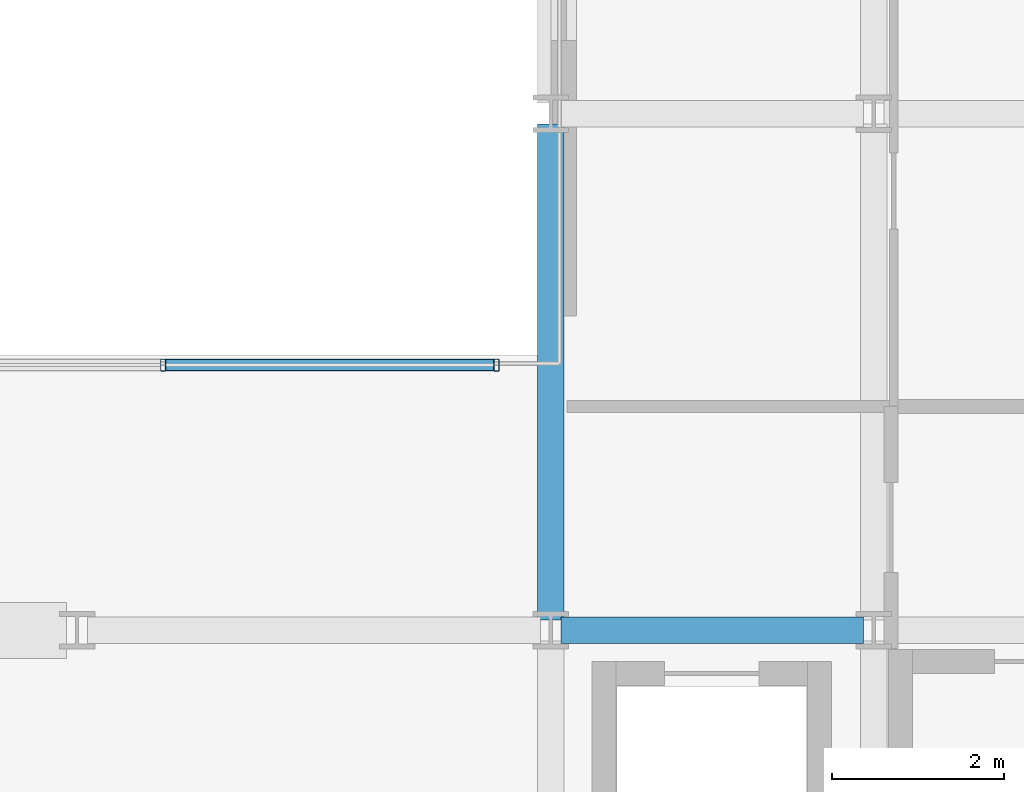
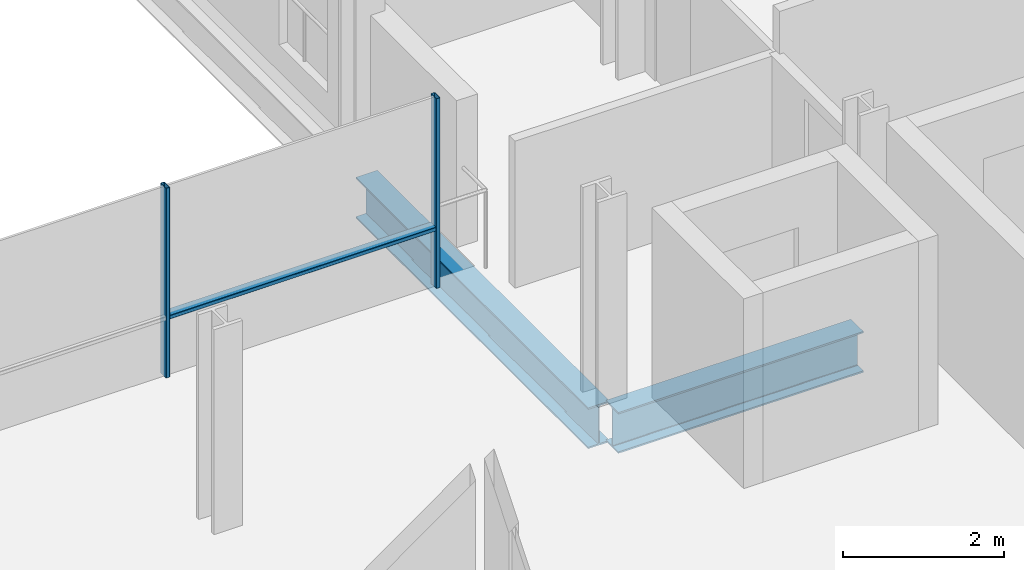
# One storey, part 13 of 38: 3 members, 2 beams, 1 element without a shape of its own.
"""IFC4 building model written with IfcOpenShell, lengths in metres."""

from ifc_helpers import new_model, si_unit, direction, frame, origin, origin_2d, place, context, subcontext, project, spatial, hollow_rectangle, i_section, extrude, material, layer, layer_set, material_profile, profile_set, type_object, element, aggregate, save


model = new_model("IFC4")

# Units and contexts
model_context = context("Model", 3, precision=1e-05, world=origin(), true_north=direction((0.0, 1.0)))
body_context = subcontext(model_context, "Body", "Model", "MODEL_VIEW")
ifc_project = project(units=[si_unit("LENGTHUNIT", "METRE"), si_unit("AREAUNIT", "SQUARE_METRE"), si_unit("VOLUMEUNIT", "CUBIC_METRE"), si_unit("PLANEANGLEUNIT", "RADIAN"), si_unit("MASSUNIT", "GRAM", prefix="KILO")], contexts=[model_context])

# Site, building, storey
site_placement = place(None, origin())
site = spatial("IfcSite", under=ifc_project, at=site_placement, CompositionType="ELEMENT")
building_placement = place(site_placement, origin())
building = spatial("IfcBuilding", under=site, at=building_placement, Name="Brevholm Reach", CompositionType="ELEMENT")
storey_placement = place(building_placement, frame((0.0, 0.0, 65.199951171875)))
storey = spatial("IfcBuildingStorey", under=building, at=storey_placement, Name="L18", CompositionType="ELEMENT", Elevation=65.199951171875)

# Beams
ifc_material_1 = material(Name="Structural Steel S355J2", Category="steel")
ifc_material_profile_1 = material_profile(ifc_material_1, i_section(OverallWidth=0.30712890625, OverallDepth=0.6201171875, WebThickness=0.01416015625, FlangeThickness=0.023681640625, FilletRadius=0.0166015625, at=origin_2d()), Name="UKB 610x305x179")
ifc_profile_set_1 = profile_set([ifc_material_profile_1], Name="Structural Steel S355J2")
beam_type = type_object("IfcBeamType", Name="BM-UKB610H", PredefinedType="USERDEFINED", material=ifc_profile_set_1)
beam_1_placement = place(storey_placement, frame((38.3701171875, 10.0, -0.5400390625), z_axis=(1.0, 0.0, 0.0), x_axis=(0.0, 1.0, 0.0)))
element("IfcBeam", 1, at=beam_1_placement, inside=storey, type_object=beam_type, Name="L18 G-06 Framing Beam", ObjectType="GIRDER", PredefinedType="USERDEFINED", context=body_context, shape_type="SweptSolid", body=[
    extrude(i_section(OverallWidth=0.30712890625, OverallDepth=0.6201171875, WebThickness=0.01416015625, FlangeThickness=0.023681640625, FilletRadius=0.0166015625, at=origin_2d()), origin(), (0.0, 0.0, 1.0), 3.509765625),
])
beam_2_placement = place(storey_placement, frame((38.25, 10.1201171875, -0.5400390625), z_axis=(0.0, 1.0, 0.0), x_axis=(-1.0, 0.0, 0.0)))
element("IfcBeam", 2, at=beam_2_placement, inside=storey, type_object=beam_type, Name="L18 G-06 Framing Beam", ObjectType="GIRDER", PredefinedType="USERDEFINED", context=body_context, shape_type="SweptSolid", body=[
    extrude(i_section(OverallWidth=0.30712890625, OverallDepth=0.6201171875, WebThickness=0.01416015625, FlangeThickness=0.023681640625, FilletRadius=0.0166015625, at=origin_2d()), origin(), (0.0, 0.0, 1.0), 5.759765625),
])

# Curtain wall, members
ifc_material_2 = material(Name="Dark Anodised Aluminium 6063-T6 and Solar-Control Glass", Category="aluminium")
ifc_layer = layer(ifc_material_2, 0.139892578125)
ifc_layer_set = layer_set([ifc_layer], Name="Dark Anodised Aluminium 6063-T6 and Solar-Control Glass")
curtain_wall_type = type_object("IfcCurtainWallType", Name="CW-02", PredefinedType="NOTDEFINED", material=ifc_layer_set)
curtain_wall_placement = place(storey_placement, origin())
curtain_wall = element("IfcCurtainWall", 3, at=curtain_wall_placement, inside=storey, type_object=curtain_wall_type, Name="L18 Curtain Wall CW-02", PredefinedType="NOTDEFINED")
ifc_material_3 = material(Name="Dark Anodised Aluminium 6063-T6", Category="aluminium")
ifc_material_profile_2 = material_profile(ifc_material_3, hollow_rectangle(XDim=0.06005859375, YDim=0.139892578125, WallThickness=0.0048828125, InnerFilletRadius=0.0048828125, OuterFilletRadius=0.010009765625, at=origin_2d()), Name="RHS 140x60x5")
ifc_profile_set_2 = profile_set([ifc_material_profile_2], Name="Dark Anodised Aluminium 6063-T6")
member_type_1 = type_object("IfcMemberType", Name="CWM-140", PredefinedType="MULLION", material=ifc_profile_set_2)
member_1_placement = place(storey_placement, frame((33.75, 13.080078125, 0.0), z_axis=(0.0, 0.0, 1.0), x_axis=(1.0, 0.0, 0.0)))
member_1 = element("IfcMember", 4, at=member_1_placement, type_object=member_type_1, Name="CM-140 Mullion 4", PredefinedType="MULLION", context=body_context, shape_type="SweptSolid", body=[
    extrude(hollow_rectangle(XDim=0.06005859375, YDim=0.139892578125, WallThickness=0.0048828125, InnerFilletRadius=0.0048828125, OuterFilletRadius=0.010009765625, at=origin_2d()), origin(), (0.0, 0.0, 1.0), 2.8701171875),
])
member_2_placement = place(storey_placement, frame((37.6201171875, 13.080078125, 0.0), z_axis=(0.0, 0.0, 1.0), x_axis=(1.0, 0.0, 0.0)))
member_2 = element("IfcMember", 5, at=member_2_placement, type_object=member_type_1, Name="CM-140 Mullion 5", PredefinedType="MULLION", context=body_context, shape_type="SweptSolid", body=[
    extrude(hollow_rectangle(XDim=0.06005859375, YDim=0.139892578125, WallThickness=0.0048828125, InnerFilletRadius=0.0048828125, OuterFilletRadius=0.010009765625, at=origin_2d()), origin(), (0.0, 0.0, 1.0), 2.8701171875),
])
ifc_material_4 = material(Name="Dark Anodised Aluminium 6063-T6", Category="aluminium")
ifc_material_profile_3 = material_profile(ifc_material_4, hollow_rectangle(XDim=0.06005859375, YDim=0.139892578125, WallThickness=0.0048828125, InnerFilletRadius=0.0048828125, OuterFilletRadius=0.010009765625, at=origin_2d()), Name="RHS 140x60x5")
ifc_profile_set_3 = profile_set([ifc_material_profile_3], Name="Dark Anodised Aluminium 6063-T6")
member_type_2 = type_object("IfcMemberType", Name="CWT-140", PredefinedType="NOTDEFINED", material=ifc_profile_set_3)
member_3_placement = place(storey_placement, frame((33.780029296875, 13.080078125, 0.900146484375), z_axis=(1.0, 0.0, 0.0), x_axis=(0.0, 0.0, 1.0)))
member_3 = element("IfcMember", 6, at=member_3_placement, type_object=member_type_2, Name="CT-140 Transom 4.1", ObjectType="TRANSOM", PredefinedType="USERDEFINED", context=body_context, shape_type="SweptSolid", body=[
    extrude(hollow_rectangle(XDim=0.06005859375, YDim=0.139892578125, WallThickness=0.0048828125, InnerFilletRadius=0.0048828125, OuterFilletRadius=0.010009765625, at=origin_2d()), origin(), (0.0, 0.0, 1.0), 3.81005859375),
])
aggregate(curtain_wall, [member_1, member_2, member_3])

save(model, "model.ifc")
